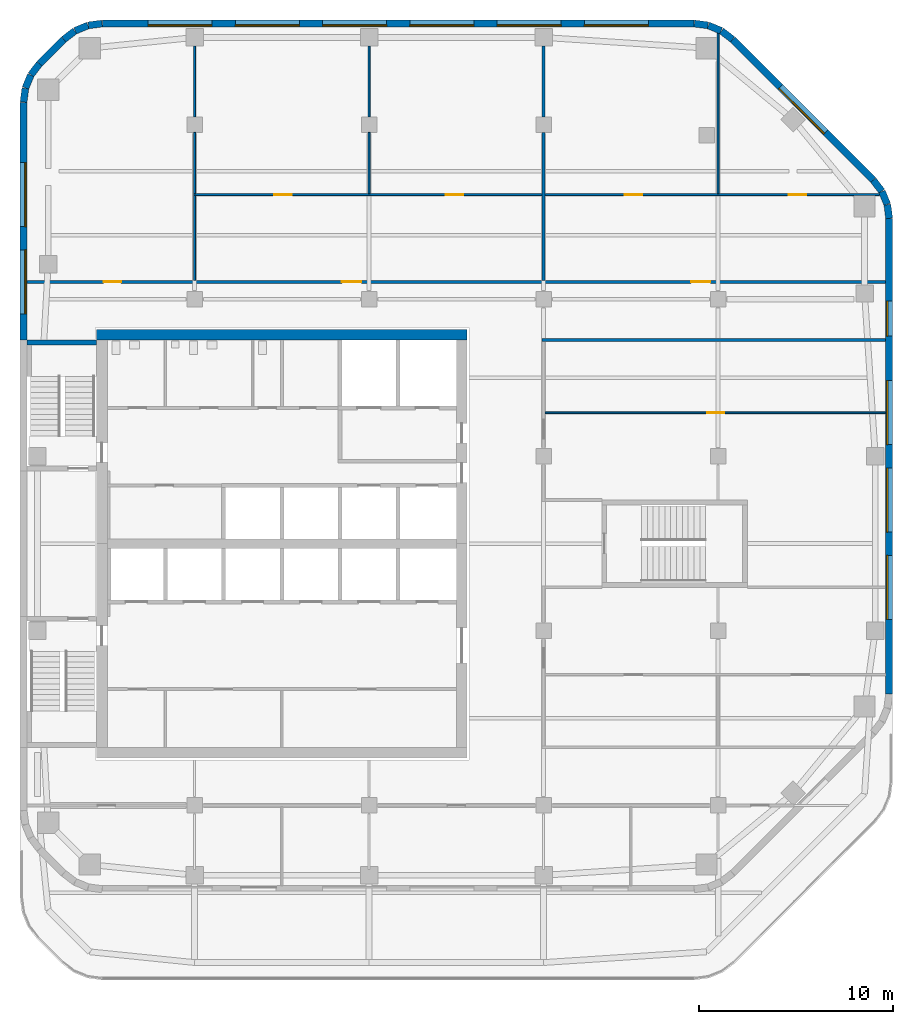
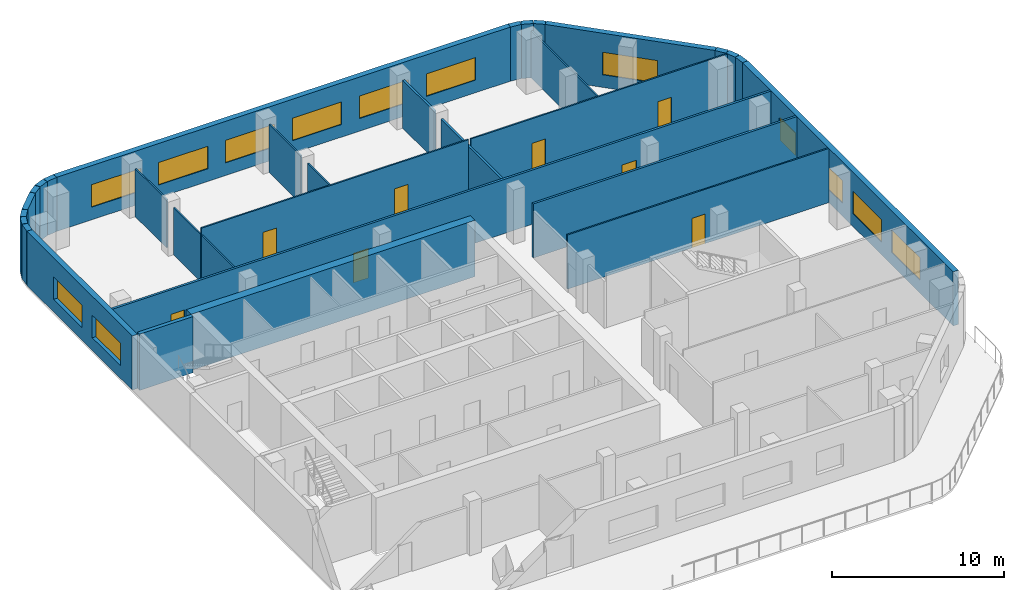
# One storey, part 5 of 8: 32 walls, 13 windows, 8 doors, 21 openings.
"""IFC4 building model written with IfcOpenShell, lengths in metres."""

from ifc_helpers import new_model, si_unit, direction, frame, frame_2d, origin, place, context, subcontext, project, spatial, rectangle, extrude, material, layer, layer_set, type_object, element, fill, save


model = new_model("IFC4")

# Units and contexts
model_context = context("Model", 3, precision=1e-05, world=origin(), true_north=direction((0.0, 1.0)))
body_context = subcontext(model_context, "Body", "Model", "MODEL_VIEW")
ifc_project = project(units=[si_unit("LENGTHUNIT", "METRE"), si_unit("AREAUNIT", "SQUARE_METRE"), si_unit("VOLUMEUNIT", "CUBIC_METRE"), si_unit("PLANEANGLEUNIT", "RADIAN"), si_unit("MASSUNIT", "GRAM", prefix="KILO")], contexts=[model_context])

# Site, building, storey
site_placement = place(None, origin())
site = spatial("IfcSite", under=ifc_project, at=site_placement, CompositionType="ELEMENT")
building_placement = place(site_placement, origin())
building = spatial("IfcBuilding", under=site, at=building_placement, Name="Cinnabar Reach Civic Tower", CompositionType="ELEMENT")
storey_placement = place(building_placement, frame((0.0, 0.0, 198.0)))
storey = spatial("IfcBuildingStorey", under=building, at=storey_placement, Name="L47", CompositionType="ELEMENT", Elevation=198.0)

# Walls
ifc_material_1 = material(Name="Facing brick with insulated backing", Category="masonry")
ifc_layer_1 = layer(ifc_material_1, 0.36)
ifc_layer_set_1 = layer_set([ifc_layer_1], Name="Brick corner wall")
wall_type_1 = type_object("IfcWallType", Name="Brick corner wall", PredefinedType="STANDARD", material=ifc_layer_set_1)
for number, where, z_axis, x_axis, name in (
    (1, (44.817, 48.2686, 0.0), (0.0, 0.0, 1.0), (-0.13055608231, 0.99144092581, 0.0), "Brick corner wall"),
    (2, (44.7181, 48.9973, 0.0), (0.0, 0.0, 1.0), (-0.382702709855, 0.923871547278, 0.0), "Brick corner wall"),
):
    element("IfcWall", number, at=place(storey_placement, frame(where, z_axis=z_axis, x_axis=x_axis)), inside=storey, type_object=wall_type_1, Name=name, PredefinedType="STANDARD", context=body_context, shape_type="SweptSolid", body=[
        extrude(rectangle(XDim=0.7131, YDim=0.36, at=frame_2d((0.3565, 0.0))), origin(), (0.0, 0.0, 1.0), 3.85),
    ])
for number, where, z_axis, x_axis, name in (
    (3, (44.434, 49.6755, 0.0), (0.0, 0.0, 1.0), (-0.608802368033, 0.793321924995, 0.0), "Brick corner wall"),
    (4, (36.7413, 57.4998, 0.0), (0.0, 0.0, 1.0), (-0.793321924995, 0.608802368033, 0.0), "Brick corner wall"),
):
    element("IfcWall", number, at=place(storey_placement, frame(where, z_axis=z_axis, x_axis=x_axis)), inside=storey, type_object=wall_type_1, Name=name, PredefinedType="STANDARD", context=body_context, shape_type="SweptSolid", body=[
        extrude(rectangle(XDim=0.7132, YDim=0.36, at=frame_2d((0.3566, 0.0))), origin(), (0.0, 0.0, 1.0), 3.85),
    ])
for number, where, z_axis, x_axis, name in (
    (5, (36.1561, 57.9452, 0.0), (0.0, 0.0, 1.0), (-0.923871547278, 0.382702709855, 0.0), "Brick corner wall"),
    (6, (35.4756, 58.2239, 0.0), (0.0, 0.0, 1.0), (-0.99144092581, 0.13055608231, 0.0), "Brick corner wall"),
    (7, (4.2314, 58.317, 0.0), (0.0, 0.0, 1.0), (-0.99144092581, -0.13055608231, 0.0), "Brick corner wall"),
    (8, (3.5027, 58.2181, 0.0), (0.0, 0.0, 1.0), (-0.923871547278, -0.382702709855, 0.0), "Brick corner wall"),
):
    element("IfcWall", number, at=place(storey_placement, frame(where, z_axis=z_axis, x_axis=x_axis)), inside=storey, type_object=wall_type_1, Name=name, PredefinedType="STANDARD", context=body_context, shape_type="SweptSolid", body=[
        extrude(rectangle(XDim=0.7131, YDim=0.36, at=frame_2d((0.3565, 0.0))), origin(), (0.0, 0.0, 1.0), 3.85),
    ])
for number, where, z_axis, x_axis, name in (
    (9, (2.8245, 57.934, 0.0), (0.0, 0.0, 1.0), (-0.793321924995, -0.608802368033, 0.0), "Brick corner wall"),
    (10, (1.0002, 56.2413, 0.0), (0.0, 0.0, 1.0), (-0.608802368033, -0.793321924995, 0.0), "Brick corner wall"),
):
    element("IfcWall", number, at=place(storey_placement, frame(where, z_axis=z_axis, x_axis=x_axis)), inside=storey, type_object=wall_type_1, Name=name, PredefinedType="STANDARD", context=body_context, shape_type="SweptSolid", body=[
        extrude(rectangle(XDim=0.7132, YDim=0.36, at=frame_2d((0.3566, 0.0))), origin(), (0.0, 0.0, 1.0), 3.85),
    ])
for number, where, z_axis, x_axis, name in (
    (11, (0.5548, 55.6561, 0.0), (0.0, 0.0, 1.0), (-0.382702709855, -0.923871547278, 0.0), "Brick corner wall"),
    (12, (0.2761, 54.9756, 0.0), (0.0, 0.0, 1.0), (-0.13055608231, -0.99144092581, 0.0), "Brick corner wall"),
):
    element("IfcWall", number, at=place(storey_placement, frame(where, z_axis=z_axis, x_axis=x_axis)), inside=storey, type_object=wall_type_1, Name=name, PredefinedType="STANDARD", context=body_context, shape_type="SweptSolid", body=[
        extrude(rectangle(XDim=0.7131, YDim=0.36, at=frame_2d((0.3565, 0.0))), origin(), (0.0, 0.0, 1.0), 3.85),
    ])

# Wall, openings, windows
ifc_layer_2 = layer(ifc_material_1, 0.36)
ifc_layer_set_2 = layer_set([ifc_layer_2], Name="Brick pier and spandrel wall")
wall_type_2 = type_object("IfcWallType", Name="Brick pier and spandrel wall", PredefinedType="STANDARD", material=ifc_layer_set_2)
wall_1_placement = place(storey_placement, frame((44.82, 23.7426, 0.0), z_axis=(0.0, 0.0, 1.0), x_axis=(0.0, 1.0, 0.0)))
wall_1 = element("IfcWall", 13, at=wall_1_placement, inside=storey, type_object=wall_type_2, Name="Brick facade wall", PredefinedType="STANDARD", context=body_context, shape_type="SweptSolid", body=[
    extrude(rectangle(XDim=24.5148, YDim=0.36, at=frame_2d((12.2574, 0.0))), origin(), (0.0, 0.0, 1.0), 3.85),
])
opening_1_placement = place(wall_1_placement, frame((3.8574, 0.0, 0.9)))
opening_1 = element("IfcOpeningElement", 14, at=opening_1_placement, cuts=wall_1, Name="Opening W1967", PredefinedType="OPENING", context=body_context, shape_type="SweptSolid", body=[
    extrude(rectangle(XDim=3.3, YDim=1.6, at=frame_2d((1.65, 0.8))), frame((0.0, 0.19, 0.0), z_axis=(0.0, -1.0, 0.0), x_axis=(1.0, 0.0, 0.0)), (0.0, 0.0, 1.0), 0.38),
])
opening_2_placement = place(wall_1_placement, frame((8.3574, 0.0, 0.9)))
opening_2 = element("IfcOpeningElement", 15, at=opening_2_placement, cuts=wall_1, Name="Opening W1968", PredefinedType="OPENING", context=body_context, shape_type="SweptSolid", body=[
    extrude(rectangle(XDim=3.3, YDim=1.6, at=frame_2d((1.65, 0.8))), frame((0.0, 0.19, 0.0), z_axis=(0.0, -1.0, 0.0), x_axis=(1.0, 0.0, 0.0)), (0.0, 0.0, 1.0), 0.38),
])
opening_3_placement = place(wall_1_placement, frame((12.8574, 0.0, 0.9)))
opening_3 = element("IfcOpeningElement", 16, at=opening_3_placement, cuts=wall_1, Name="Opening W1969", PredefinedType="OPENING", context=body_context, shape_type="SweptSolid", body=[
    extrude(rectangle(XDim=3.3, YDim=1.6, at=frame_2d((1.65, 0.8))), frame((0.0, 0.19, 0.0), z_axis=(0.0, -1.0, 0.0), x_axis=(1.0, 0.0, 0.0)), (0.0, 0.0, 1.0), 0.38),
])
opening_4_placement = place(wall_1_placement, frame((18.4574, 0.0, 0.9)))
opening_4 = element("IfcOpeningElement", 17, at=opening_4_placement, cuts=wall_1, Name="Opening W1970", PredefinedType="OPENING", context=body_context, shape_type="SweptSolid", body=[
    extrude(rectangle(XDim=1.8, YDim=1.6, at=frame_2d((0.9, 0.8))), frame((0.0, 0.19, 0.0), z_axis=(0.0, -1.0, 0.0), x_axis=(1.0, 0.0, 0.0)), (0.0, 0.0, 1.0), 0.38),
])
ifc_material_2 = material(Name="Clear double glazing in aluminium frame", Category="aluminium")
window_type_1 = type_object("IfcWindowType", Name="Deep-set window A", PartitioningType="SINGLE_PANEL", PredefinedType="WINDOW", material=ifc_material_2)
window_1_placement = place(opening_1_placement, origin())
window_1 = element("IfcWindow", 18, at=window_1_placement, inside=storey, type_object=window_type_1, Name="Window east face", OverallHeight=1.6, OverallWidth=3.3, PartitioningType="SINGLE_PANEL", PredefinedType="WINDOW", context=body_context, shape_type="SweptSolid", body=[
    extrude(rectangle(XDim=3.3, YDim=1.6, at=frame_2d((1.65, 0.8))), frame((0.0, 0.13, 0.0), z_axis=(0.0, -1.0, 0.0), x_axis=(1.0, 0.0, 0.0)), (0.0, 0.0, 1.0), 0.06),
])
fill(opening_1, window_1)
window_2_placement = place(opening_2_placement, origin())
window_2 = element("IfcWindow", 19, at=window_2_placement, inside=storey, type_object=window_type_1, Name="Window east face", OverallHeight=1.6, OverallWidth=3.3, PartitioningType="SINGLE_PANEL", PredefinedType="WINDOW", context=body_context, shape_type="SweptSolid", body=[
    extrude(rectangle(XDim=3.3, YDim=1.6, at=frame_2d((1.65, 0.8))), frame((0.0, 0.13, 0.0), z_axis=(0.0, -1.0, 0.0), x_axis=(1.0, 0.0, 0.0)), (0.0, 0.0, 1.0), 0.06),
])
fill(opening_2, window_2)
window_3_placement = place(opening_3_placement, origin())
window_3 = element("IfcWindow", 20, at=window_3_placement, inside=storey, type_object=window_type_1, Name="Window east face", OverallHeight=1.6, OverallWidth=3.3, PartitioningType="SINGLE_PANEL", PredefinedType="WINDOW", context=body_context, shape_type="SweptSolid", body=[
    extrude(rectangle(XDim=3.3, YDim=1.6, at=frame_2d((1.65, 0.8))), frame((0.0, 0.13, 0.0), z_axis=(0.0, -1.0, 0.0), x_axis=(1.0, 0.0, 0.0)), (0.0, 0.0, 1.0), 0.06),
])
fill(opening_3, window_3)
window_type_2 = type_object("IfcWindowType", Name="Deep-set window D", PartitioningType="SINGLE_PANEL", PredefinedType="WINDOW", material=ifc_material_2)
window_4_placement = place(opening_4_placement, origin())
window_4 = element("IfcWindow", 21, at=window_4_placement, inside=storey, type_object=window_type_2, Name="Window east face", OverallHeight=1.6, OverallWidth=1.8, PartitioningType="SINGLE_PANEL", PredefinedType="WINDOW", context=body_context, shape_type="SweptSolid", body=[
    extrude(rectangle(XDim=1.8, YDim=1.6, at=frame_2d((0.9, 0.8))), frame((0.0, 0.13, 0.0), z_axis=(0.0, -1.0, 0.0), x_axis=(1.0, 0.0, 0.0)), (0.0, 0.0, 1.0), 0.06),
])
fill(opening_4, window_4)

# Wall, opening, window
wall_2_placement = place(storey_placement, frame((43.994, 50.2514, 0.0), z_axis=(0.0, 0.0, 1.0), x_axis=(-0.707106781187, 0.707106781187, 0.0)))
wall_2 = element("IfcWall", 22, at=wall_2_placement, inside=storey, type_object=wall_type_2, Name="Brick facade wall", PredefinedType="STANDARD", context=body_context, shape_type="SweptSolid", body=[
    extrude(rectangle(XDim=10.2426, YDim=0.36, at=frame_2d((5.1213, 0.0))), origin(), (0.0, 0.0, 1.0), 3.85),
])
opening_5_placement = place(wall_2_placement, frame((3.4713, 0.0, 0.9)))
opening_5 = element("IfcOpeningElement", 23, at=opening_5_placement, cuts=wall_2, Name="Opening W1971", PredefinedType="OPENING", context=body_context, shape_type="SweptSolid", body=[
    extrude(rectangle(XDim=3.3, YDim=1.6, at=frame_2d((1.65, 0.8))), frame((0.0, 0.19, 0.0), z_axis=(0.0, -1.0, 0.0), x_axis=(1.0, 0.0, 0.0)), (0.0, 0.0, 1.0), 0.38),
])
window_5_placement = place(opening_5_placement, origin())
window_5 = element("IfcWindow", 24, at=window_5_placement, inside=storey, type_object=window_type_1, Name="Window northeast face", OverallHeight=1.6, OverallWidth=3.3, PartitioningType="SINGLE_PANEL", PredefinedType="WINDOW", context=body_context, shape_type="SweptSolid", body=[
    extrude(rectangle(XDim=3.3, YDim=1.6, at=frame_2d((1.65, 0.8))), frame((0.0, 0.13, 0.0), z_axis=(0.0, -1.0, 0.0), x_axis=(1.0, 0.0, 0.0)), (0.0, 0.0, 1.0), 0.06),
])
fill(opening_5, window_5)

# Wall, openings, windows
wall_3_placement = place(storey_placement, frame((34.7574, 58.32, 0.0), z_axis=(0.0, 0.0, 1.0), x_axis=(-1.0, 0.0, 0.0)))
wall_3 = element("IfcWall", 25, at=wall_3_placement, inside=storey, type_object=wall_type_2, Name="Brick facade wall", PredefinedType="STANDARD", context=body_context, shape_type="SweptSolid", body=[
    extrude(rectangle(XDim=30.5148, YDim=0.36, at=frame_2d((15.2574, 0.0))), origin(), (0.0, 0.0, 1.0), 3.85),
])
opening_6_placement = place(wall_3_placement, frame((2.3574, 0.0, 0.9)))
opening_6 = element("IfcOpeningElement", 26, at=opening_6_placement, cuts=wall_3, Name="Opening W1972", PredefinedType="OPENING", context=body_context, shape_type="SweptSolid", body=[
    extrude(rectangle(XDim=3.3, YDim=1.6, at=frame_2d((1.65, 0.8))), frame((0.0, 0.19, 0.0), z_axis=(0.0, -1.0, 0.0), x_axis=(1.0, 0.0, 0.0)), (0.0, 0.0, 1.0), 0.38),
])
opening_7_placement = place(wall_3_placement, frame((6.8574, 0.0, 0.9)))
opening_7 = element("IfcOpeningElement", 27, at=opening_7_placement, cuts=wall_3, Name="Opening W1973", PredefinedType="OPENING", context=body_context, shape_type="SweptSolid", body=[
    extrude(rectangle(XDim=3.3, YDim=1.6, at=frame_2d((1.65, 0.8))), frame((0.0, 0.19, 0.0), z_axis=(0.0, -1.0, 0.0), x_axis=(1.0, 0.0, 0.0)), (0.0, 0.0, 1.0), 0.38),
])
opening_8_placement = place(wall_3_placement, frame((11.3574, 0.0, 0.9)))
opening_8 = element("IfcOpeningElement", 28, at=opening_8_placement, cuts=wall_3, Name="Opening W1974", PredefinedType="OPENING", context=body_context, shape_type="SweptSolid", body=[
    extrude(rectangle(XDim=3.3, YDim=1.6, at=frame_2d((1.65, 0.8))), frame((0.0, 0.19, 0.0), z_axis=(0.0, -1.0, 0.0), x_axis=(1.0, 0.0, 0.0)), (0.0, 0.0, 1.0), 0.38),
])
opening_9_placement = place(wall_3_placement, frame((15.8574, 0.0, 0.9)))
opening_9 = element("IfcOpeningElement", 29, at=opening_9_placement, cuts=wall_3, Name="Opening W1975", PredefinedType="OPENING", context=body_context, shape_type="SweptSolid", body=[
    extrude(rectangle(XDim=3.3, YDim=1.6, at=frame_2d((1.65, 0.8))), frame((0.0, 0.19, 0.0), z_axis=(0.0, -1.0, 0.0), x_axis=(1.0, 0.0, 0.0)), (0.0, 0.0, 1.0), 0.38),
])
opening_10_placement = place(wall_3_placement, frame((20.3574, 0.0, 0.9)))
opening_10 = element("IfcOpeningElement", 30, at=opening_10_placement, cuts=wall_3, Name="Opening W1976", PredefinedType="OPENING", context=body_context, shape_type="SweptSolid", body=[
    extrude(rectangle(XDim=3.3, YDim=1.6, at=frame_2d((1.65, 0.8))), frame((0.0, 0.19, 0.0), z_axis=(0.0, -1.0, 0.0), x_axis=(1.0, 0.0, 0.0)), (0.0, 0.0, 1.0), 0.38),
])
opening_11_placement = place(wall_3_placement, frame((24.8574, 0.0, 0.9)))
opening_11 = element("IfcOpeningElement", 31, at=opening_11_placement, cuts=wall_3, Name="Opening W1977", PredefinedType="OPENING", context=body_context, shape_type="SweptSolid", body=[
    extrude(rectangle(XDim=3.3, YDim=1.6, at=frame_2d((1.65, 0.8))), frame((0.0, 0.19, 0.0), z_axis=(0.0, -1.0, 0.0), x_axis=(1.0, 0.0, 0.0)), (0.0, 0.0, 1.0), 0.38),
])
window_6_placement = place(opening_6_placement, origin())
window_6 = element("IfcWindow", 32, at=window_6_placement, inside=storey, type_object=window_type_1, Name="Window north face", OverallHeight=1.6, OverallWidth=3.3, PartitioningType="SINGLE_PANEL", PredefinedType="WINDOW", context=body_context, shape_type="SweptSolid", body=[
    extrude(rectangle(XDim=3.3, YDim=1.6, at=frame_2d((1.65, 0.8))), frame((0.0, 0.13, 0.0), z_axis=(0.0, -1.0, 0.0), x_axis=(1.0, 0.0, 0.0)), (0.0, 0.0, 1.0), 0.06),
])
fill(opening_6, window_6)
window_7_placement = place(opening_7_placement, origin())
window_7 = element("IfcWindow", 33, at=window_7_placement, inside=storey, type_object=window_type_1, Name="Window north face", OverallHeight=1.6, OverallWidth=3.3, PartitioningType="SINGLE_PANEL", PredefinedType="WINDOW", context=body_context, shape_type="SweptSolid", body=[
    extrude(rectangle(XDim=3.3, YDim=1.6, at=frame_2d((1.65, 0.8))), frame((0.0, 0.13, 0.0), z_axis=(0.0, -1.0, 0.0), x_axis=(1.0, 0.0, 0.0)), (0.0, 0.0, 1.0), 0.06),
])
fill(opening_7, window_7)
window_8_placement = place(opening_8_placement, origin())
window_8 = element("IfcWindow", 34, at=window_8_placement, inside=storey, type_object=window_type_1, Name="Window north face", OverallHeight=1.6, OverallWidth=3.3, PartitioningType="SINGLE_PANEL", PredefinedType="WINDOW", context=body_context, shape_type="SweptSolid", body=[
    extrude(rectangle(XDim=3.3, YDim=1.6, at=frame_2d((1.65, 0.8))), frame((0.0, 0.13, 0.0), z_axis=(0.0, -1.0, 0.0), x_axis=(1.0, 0.0, 0.0)), (0.0, 0.0, 1.0), 0.06),
])
fill(opening_8, window_8)
window_9_placement = place(opening_9_placement, origin())
window_9 = element("IfcWindow", 35, at=window_9_placement, inside=storey, type_object=window_type_1, Name="Window north face", OverallHeight=1.6, OverallWidth=3.3, PartitioningType="SINGLE_PANEL", PredefinedType="WINDOW", context=body_context, shape_type="SweptSolid", body=[
    extrude(rectangle(XDim=3.3, YDim=1.6, at=frame_2d((1.65, 0.8))), frame((0.0, 0.13, 0.0), z_axis=(0.0, -1.0, 0.0), x_axis=(1.0, 0.0, 0.0)), (0.0, 0.0, 1.0), 0.06),
])
fill(opening_9, window_9)
window_10_placement = place(opening_10_placement, origin())
window_10 = element("IfcWindow", 36, at=window_10_placement, inside=storey, type_object=window_type_1, Name="Window north face", OverallHeight=1.6, OverallWidth=3.3, PartitioningType="SINGLE_PANEL", PredefinedType="WINDOW", context=body_context, shape_type="SweptSolid", body=[
    extrude(rectangle(XDim=3.3, YDim=1.6, at=frame_2d((1.65, 0.8))), frame((0.0, 0.13, 0.0), z_axis=(0.0, -1.0, 0.0), x_axis=(1.0, 0.0, 0.0)), (0.0, 0.0, 1.0), 0.06),
])
fill(opening_10, window_10)
window_11_placement = place(opening_11_placement, origin())
window_11 = element("IfcWindow", 37, at=window_11_placement, inside=storey, type_object=window_type_1, Name="Window north face", OverallHeight=1.6, OverallWidth=3.3, PartitioningType="SINGLE_PANEL", PredefinedType="WINDOW", context=body_context, shape_type="SweptSolid", body=[
    extrude(rectangle(XDim=3.3, YDim=1.6, at=frame_2d((1.65, 0.8))), frame((0.0, 0.13, 0.0), z_axis=(0.0, -1.0, 0.0), x_axis=(1.0, 0.0, 0.0)), (0.0, 0.0, 1.0), 0.06),
])
fill(opening_11, window_11)

# Wall
wall_4_placement = place(storey_placement, frame((2.2486, 57.494, 0.0), z_axis=(0.0, 0.0, 1.0), x_axis=(-0.707106781187, -0.707106781187, 0.0)))
element("IfcWall", 38, at=wall_4_placement, inside=storey, type_object=wall_type_2, Name="Brick facade wall", PredefinedType="STANDARD", context=body_context, shape_type="SweptSolid", body=[
    extrude(rectangle(XDim=1.7573, YDim=0.36, at=frame_2d((0.8787, 0.0))), origin(), (0.0, 0.0, 1.0), 3.85),
])

# Wall, openings, windows
wall_5_placement = place(storey_placement, frame((0.18, 54.2574, 0.0), z_axis=(0.0, 0.0, 1.0), x_axis=(0.0, -1.0, 0.0)))
wall_5 = element("IfcWall", 39, at=wall_5_placement, inside=storey, type_object=wall_type_2, Name="Brick facade wall", PredefinedType="STANDARD", context=body_context, shape_type="SweptSolid", body=[
    extrude(rectangle(XDim=12.2574, YDim=0.36, at=frame_2d((6.1287, 0.0))), origin(), (0.0, 0.0, 1.0), 3.85),
])
opening_12_placement = place(wall_5_placement, frame((3.1074, 0.0, 0.9)))
opening_12 = element("IfcOpeningElement", 40, at=opening_12_placement, cuts=wall_5, Name="Opening W1978", PredefinedType="OPENING", context=body_context, shape_type="SweptSolid", body=[
    extrude(rectangle(XDim=3.3, YDim=1.6, at=frame_2d((1.65, 0.8))), frame((0.0, 0.19, 0.0), z_axis=(0.0, -1.0, 0.0), x_axis=(1.0, 0.0, 0.0)), (0.0, 0.0, 1.0), 0.38),
])
opening_13_placement = place(wall_5_placement, frame((7.6074, 0.0, 0.9)))
opening_13 = element("IfcOpeningElement", 41, at=opening_13_placement, cuts=wall_5, Name="Opening W1979", PredefinedType="OPENING", context=body_context, shape_type="SweptSolid", body=[
    extrude(rectangle(XDim=3.3, YDim=1.6, at=frame_2d((1.65, 0.8))), frame((0.0, 0.19, 0.0), z_axis=(0.0, -1.0, 0.0), x_axis=(1.0, 0.0, 0.0)), (0.0, 0.0, 1.0), 0.38),
])
window_12_placement = place(opening_12_placement, origin())
window_12 = element("IfcWindow", 42, at=window_12_placement, inside=storey, type_object=window_type_1, Name="Window west face", OverallHeight=1.6, OverallWidth=3.3, PartitioningType="SINGLE_PANEL", PredefinedType="WINDOW", context=body_context, shape_type="SweptSolid", body=[
    extrude(rectangle(XDim=3.3, YDim=1.6, at=frame_2d((1.65, 0.8))), frame((0.0, 0.13, 0.0), z_axis=(0.0, -1.0, 0.0), x_axis=(1.0, 0.0, 0.0)), (0.0, 0.0, 1.0), 0.06),
])
fill(opening_12, window_12)
window_13_placement = place(opening_13_placement, origin())
window_13 = element("IfcWindow", 43, at=window_13_placement, inside=storey, type_object=window_type_1, Name="Window west face", OverallHeight=1.6, OverallWidth=3.3, PartitioningType="SINGLE_PANEL", PredefinedType="WINDOW", context=body_context, shape_type="SweptSolid", body=[
    extrude(rectangle(XDim=3.3, YDim=1.6, at=frame_2d((1.65, 0.8))), frame((0.0, 0.13, 0.0), z_axis=(0.0, -1.0, 0.0), x_axis=(1.0, 0.0, 0.0)), (0.0, 0.0, 1.0), 0.06),
])
fill(opening_13, window_13)

# Wall
ifc_material_3 = material(Name="Concrete C60", Category="concrete")
ifc_layer_3 = layer(ifc_material_3, 0.55)
ifc_layer_set_3 = layer_set([ifc_layer_3], Name="Core wall 550 EI 180")
wall_type_3 = type_object("IfcWallType", Name="Core wall 550 EI 180", PredefinedType="SOLIDWALL", material=ifc_layer_set_3)
wall_6_placement = place(storey_placement, frame((23.05, 42.275, 0.0), z_axis=(0.0, 0.0, 1.0), x_axis=(-1.0, 0.0, 0.0)))
element("IfcWall", 44, at=wall_6_placement, inside=storey, type_object=wall_type_3, Name="Core wall T1 L47 N", PredefinedType="SOLIDWALL", context=body_context, shape_type="SweptSolid", body=[
    extrude(rectangle(XDim=19.1, YDim=0.55, at=frame_2d((9.55, 0.0))), origin(), (0.0, 0.0, 1.0), 4.0),
])

# Wall, openings, doors
ifc_material_4 = material(Name="Gypsum board on steel studs, double layer", Category="steel")
ifc_layer_4 = layer(ifc_material_4, 0.15)
ifc_layer_set_4 = layer_set([ifc_layer_4], Name="Corridor wall 150 T1")
wall_type_4 = type_object("IfcWallType", Name="Corridor wall 150 T1", PredefinedType="PARTITIONING", material=ifc_layer_set_4)
wall_7_placement = place(storey_placement, frame((0.36, 45.0, 0.0), z_axis=(0.0, 0.0, 1.0), x_axis=(1.0, 0.0, 0.0)))
wall_7 = element("IfcWall", 45, at=wall_7_placement, inside=storey, type_object=wall_type_4, Name="Corridor wall 18", PredefinedType="PARTITIONING", context=body_context, shape_type="SweptSolid", body=[
    extrude(rectangle(XDim=44.28, YDim=0.15, at=frame_2d((22.14, 0.0))), origin(), (0.0, 0.0, 1.0), 3.85),
])
opening_14_placement = place(wall_7_placement, frame((3.95, 0.0, 0.0)))
opening_14 = element("IfcOpeningElement", 46, at=opening_14_placement, cuts=wall_7, Name="Opening D4945", PredefinedType="OPENING", context=body_context, shape_type="SweptSolid", body=[
    extrude(rectangle(XDim=0.9, YDim=2.1, at=frame_2d((0.45, 1.05))), frame((0.0, 0.085, 0.0), z_axis=(0.0, -1.0, 0.0), x_axis=(1.0, 0.0, 0.0)), (0.0, 0.0, 1.0), 0.17),
])
opening_15_placement = place(wall_7_placement, frame((16.24, 0.0, 0.0)))
opening_15 = element("IfcOpeningElement", 47, at=opening_15_placement, cuts=wall_7, Name="Opening D4946", PredefinedType="OPENING", context=body_context, shape_type="SweptSolid", body=[
    extrude(rectangle(XDim=1.0, YDim=2.1, at=frame_2d((0.5, 1.05))), frame((0.0, 0.085, 0.0), z_axis=(0.0, -1.0, 0.0), x_axis=(1.0, 0.0, 0.0)), (0.0, 0.0, 1.0), 0.17),
])
opening_16_placement = place(wall_7_placement, frame((34.24, 0.0, 0.0)))
opening_16 = element("IfcOpeningElement", 48, at=opening_16_placement, cuts=wall_7, Name="Opening D4949", PredefinedType="OPENING", context=body_context, shape_type="SweptSolid", body=[
    extrude(rectangle(XDim=1.0, YDim=2.1, at=frame_2d((0.5, 1.05))), frame((0.0, 0.085, 0.0), z_axis=(0.0, -1.0, 0.0), x_axis=(1.0, 0.0, 0.0)), (0.0, 0.0, 1.0), 0.17),
])
ifc_material_5 = material(Name="Timber door leaf in steel frame", Category="steel")
door_type_1 = type_object("IfcDoorType", Name="Single swing door 900 x 2100 corridor T1", OperationType="SINGLE_SWING_LEFT", PredefinedType="DOOR", material=ifc_material_5)
door_1_placement = place(opening_14_placement, origin())
door_1 = element("IfcDoor", 49, at=door_1_placement, inside=storey, type_object=door_type_1, Name="Door D4945", OperationType="SINGLE_SWING_LEFT", OverallHeight=2.1, OverallWidth=0.9, PredefinedType="DOOR", context=body_context, shape_type="SweptSolid", body=[
    extrude(rectangle(XDim=0.9, YDim=2.1, at=frame_2d((0.45, 1.05))), frame((0.0, 0.025, 0.0), z_axis=(0.0, -1.0, 0.0), x_axis=(1.0, 0.0, 0.0)), (0.0, 0.0, 1.0), 0.05),
])
fill(opening_14, door_1)
door_type_2 = type_object("IfcDoorType", Name="Tenancy entrance door 1000 x 2100 T1", OperationType="SINGLE_SWING_LEFT", PredefinedType="DOOR", material=ifc_material_5)
door_2_placement = place(opening_15_placement, origin())
door_2 = element("IfcDoor", 50, at=door_2_placement, inside=storey, type_object=door_type_2, Name="Door D4946", OperationType="SINGLE_SWING_RIGHT", OverallHeight=2.1, OverallWidth=1.0, PredefinedType="DOOR", context=body_context, shape_type="SweptSolid", body=[
    extrude(rectangle(XDim=1.0, YDim=2.1, at=frame_2d((0.5, 1.05))), frame((0.0, 0.025, 0.0), z_axis=(0.0, -1.0, 0.0), x_axis=(1.0, 0.0, 0.0)), (0.0, 0.0, 1.0), 0.05),
])
fill(opening_15, door_2)
door_3_placement = place(opening_16_placement, origin())
door_3 = element("IfcDoor", 51, at=door_3_placement, inside=storey, type_object=door_type_2, Name="Door D4949", OperationType="SINGLE_SWING_LEFT", OverallHeight=2.1, OverallWidth=1.0, PredefinedType="DOOR", context=body_context, shape_type="SweptSolid", body=[
    extrude(rectangle(XDim=1.0, YDim=2.1, at=frame_2d((0.5, 1.05))), frame((0.0, 0.025, 0.0), z_axis=(0.0, -1.0, 0.0), x_axis=(1.0, 0.0, 0.0)), (0.0, 0.0, 1.0), 0.05),
])
fill(opening_16, door_3)

# Wall
wall_8_placement = place(storey_placement, frame((26.925, 42.0, 0.0), z_axis=(0.0, 0.0, 1.0), x_axis=(1.0, 0.0, 0.0)))
element("IfcWall", 52, at=wall_8_placement, inside=storey, type_object=wall_type_4, Name="Corridor wall 25", PredefinedType="PARTITIONING", context=body_context, shape_type="SweptSolid", body=[
    extrude(rectangle(XDim=17.715, YDim=0.15, at=frame_2d((8.8575, 0.0))), origin(), (0.0, 0.0, 1.0), 3.85),
])

# Wall, openings, doors
ifc_material_6 = material(Name="Gypsum board on steel studs", Category="steel")
ifc_layer_5 = layer(ifc_material_6, 0.1)
ifc_layer_set_5 = layer_set([ifc_layer_5], Name="Partition wall 100 T1")
wall_type_5 = type_object("IfcWallType", Name="Partition wall 100 T1", PredefinedType="PARTITIONING", material=ifc_layer_set_5)
wall_9_placement = place(storey_placement, frame((8.95, 49.5, 0.0), z_axis=(0.0, 0.0, 1.0), x_axis=(1.0, 0.0, 0.0)))
wall_9 = element("IfcWall", 53, at=wall_9_placement, inside=storey, type_object=wall_type_5, Name="Partition wall 42", PredefinedType="PARTITIONING", context=body_context, shape_type="SweptSolid", body=[
    extrude(rectangle(XDim=17.975, YDim=0.1, at=frame_2d((8.9875, 0.0))), origin(), (0.0, 0.0, 1.0), 3.85),
])
opening_17_placement = place(wall_9_placement, frame((4.15, 0.0, 0.0)))
opening_17 = element("IfcOpeningElement", 54, at=opening_17_placement, cuts=wall_9, Name="Opening D4947", PredefinedType="OPENING", context=body_context, shape_type="SweptSolid", body=[
    extrude(rectangle(XDim=0.9, YDim=2.1, at=frame_2d((0.45, 1.05))), frame((0.0, 0.06, 0.0), z_axis=(0.0, -1.0, 0.0), x_axis=(1.0, 0.0, 0.0)), (0.0, 0.0, 1.0), 0.12),
])
opening_18_placement = place(wall_9_placement, frame((13.0, 0.0, 0.0)))
opening_18 = element("IfcOpeningElement", 55, at=opening_18_placement, cuts=wall_9, Name="Opening D4948", PredefinedType="OPENING", context=body_context, shape_type="SweptSolid", body=[
    extrude(rectangle(XDim=0.9, YDim=2.1, at=frame_2d((0.45, 1.05))), frame((0.0, 0.06, 0.0), z_axis=(0.0, -1.0, 0.0), x_axis=(1.0, 0.0, 0.0)), (0.0, 0.0, 1.0), 0.12),
])
door_type_3 = type_object("IfcDoorType", Name="Single swing door 900 x 2100 T1", OperationType="SINGLE_SWING_LEFT", PredefinedType="DOOR", material=ifc_material_5)
door_4_placement = place(opening_17_placement, origin())
door_4 = element("IfcDoor", 56, at=door_4_placement, inside=storey, type_object=door_type_3, Name="Door D4947", OperationType="SINGLE_SWING_LEFT", OverallHeight=2.1, OverallWidth=0.9, PredefinedType="DOOR", context=body_context, shape_type="SweptSolid", body=[
    extrude(rectangle(XDim=0.9, YDim=2.1, at=frame_2d((0.45, 1.05))), frame((0.0, 0.025, 0.0), z_axis=(0.0, -1.0, 0.0), x_axis=(1.0, 0.0, 0.0)), (0.0, 0.0, 1.0), 0.05),
])
fill(opening_17, door_4)
door_5_placement = place(opening_18_placement, origin())
door_5 = element("IfcDoor", 57, at=door_5_placement, inside=storey, type_object=door_type_3, Name="Door D4948", OperationType="SINGLE_SWING_LEFT", OverallHeight=2.1, OverallWidth=0.9, PredefinedType="DOOR", context=body_context, shape_type="SweptSolid", body=[
    extrude(rectangle(XDim=0.9, YDim=2.1, at=frame_2d((0.45, 1.05))), frame((0.0, 0.025, 0.0), z_axis=(0.0, -1.0, 0.0), x_axis=(1.0, 0.0, 0.0)), (0.0, 0.0, 1.0), 0.05),
])
fill(opening_18, door_5)

wall_10_placement = place(storey_placement, frame((27.075, 49.5, 0.0), z_axis=(0.0, 0.0, 1.0), x_axis=(1.0, 0.0, 0.0)))
wall_10 = element("IfcWall", 58, at=wall_10_placement, inside=storey, type_object=wall_type_5, Name="Partition wall 43", PredefinedType="PARTITIONING", context=body_context, shape_type="SweptSolid", body=[
    extrude(rectangle(XDim=17.24, YDim=0.1, at=frame_2d((8.62, 0.0))), origin(), (0.0, 0.0, 1.0), 3.85),
])
opening_19_placement = place(wall_10_placement, frame((4.1, 0.0, 0.0)))
opening_19 = element("IfcOpeningElement", 59, at=opening_19_placement, cuts=wall_10, Name="Opening D4950", PredefinedType="OPENING", context=body_context, shape_type="SweptSolid", body=[
    extrude(rectangle(XDim=0.9, YDim=2.1, at=frame_2d((0.45, 1.05))), frame((0.0, 0.06, 0.0), z_axis=(0.0, -1.0, 0.0), x_axis=(1.0, 0.0, 0.0)), (0.0, 0.0, 1.0), 0.12),
])
opening_20_placement = place(wall_10_placement, frame((12.575, 0.0, 0.0)))
opening_20 = element("IfcOpeningElement", 60, at=opening_20_placement, cuts=wall_10, Name="Opening D4951", PredefinedType="OPENING", context=body_context, shape_type="SweptSolid", body=[
    extrude(rectangle(XDim=0.9, YDim=2.1, at=frame_2d((0.45, 1.05))), frame((0.0, 0.06, 0.0), z_axis=(0.0, -1.0, 0.0), x_axis=(1.0, 0.0, 0.0)), (0.0, 0.0, 1.0), 0.12),
])
door_6_placement = place(opening_19_placement, origin())
door_6 = element("IfcDoor", 61, at=door_6_placement, inside=storey, type_object=door_type_3, Name="Door D4950", OperationType="SINGLE_SWING_RIGHT", OverallHeight=2.1, OverallWidth=0.9, PredefinedType="DOOR", context=body_context, shape_type="SweptSolid", body=[
    extrude(rectangle(XDim=0.9, YDim=2.1, at=frame_2d((0.45, 1.05))), frame((0.0, 0.025, 0.0), z_axis=(0.0, -1.0, 0.0), x_axis=(1.0, 0.0, 0.0)), (0.0, 0.0, 1.0), 0.05),
])
fill(opening_19, door_6)
door_7_placement = place(opening_20_placement, origin())
door_7 = element("IfcDoor", 62, at=door_7_placement, inside=storey, type_object=door_type_3, Name="Door D4951", OperationType="SINGLE_SWING_LEFT", OverallHeight=2.1, OverallWidth=0.9, PredefinedType="DOOR", context=body_context, shape_type="SweptSolid", body=[
    extrude(rectangle(XDim=0.9, YDim=2.1, at=frame_2d((0.45, 1.05))), frame((0.0, 0.025, 0.0), z_axis=(0.0, -1.0, 0.0), x_axis=(1.0, 0.0, 0.0)), (0.0, 0.0, 1.0), 0.05),
])
fill(opening_20, door_7)

# Wall, opening, door
wall_11_placement = place(storey_placement, frame((27.075, 38.25, 0.0), z_axis=(0.0, 0.0, 1.0), x_axis=(1.0, 0.0, 0.0)))
wall_11 = element("IfcWall", 63, at=wall_11_placement, inside=storey, type_object=wall_type_5, Name="Partition wall 45", PredefinedType="PARTITIONING", context=body_context, shape_type="SweptSolid", body=[
    extrude(rectangle(XDim=17.565, YDim=0.1, at=frame_2d((8.7825, 0.0))), origin(), (0.0, 0.0, 1.0), 3.85),
])
opening_21_placement = place(wall_11_placement, frame((8.35, 0.0, 0.0)))
opening_21 = element("IfcOpeningElement", 64, at=opening_21_placement, cuts=wall_11, Name="Opening D4938", PredefinedType="OPENING", context=body_context, shape_type="SweptSolid", body=[
    extrude(rectangle(XDim=0.9, YDim=2.1, at=frame_2d((0.45, 1.05))), frame((0.0, 0.06, 0.0), z_axis=(0.0, -1.0, 0.0), x_axis=(1.0, 0.0, 0.0)), (0.0, 0.0, 1.0), 0.12),
])
door_8_placement = place(opening_21_placement, origin())
door_8 = element("IfcDoor", 65, at=door_8_placement, inside=storey, type_object=door_type_3, Name="Door D4938", OperationType="SINGLE_SWING_RIGHT", OverallHeight=2.1, OverallWidth=0.9, PredefinedType="DOOR", context=body_context, shape_type="SweptSolid", body=[
    extrude(rectangle(XDim=0.9, YDim=2.1, at=frame_2d((0.45, 1.05))), frame((0.0, 0.025, 0.0), z_axis=(0.0, -1.0, 0.0), x_axis=(1.0, 0.0, 0.0)), (0.0, 0.0, 1.0), 0.05),
])
fill(opening_21, door_8)

# Walls
wall_12_placement = place(storey_placement, frame((9.0, 45.075, 0.0), z_axis=(0.0, 0.0, 1.0), x_axis=(0.0, 1.0, 0.0)))
element("IfcWall", 66, at=wall_12_placement, inside=storey, type_object=wall_type_5, Name="Partition wall 46", PredefinedType="PARTITIONING", context=body_context, shape_type="SweptSolid", body=[
    extrude(rectangle(XDim=4.375, YDim=0.1, at=frame_2d((2.1875, 0.0))), origin(), (0.0, 0.0, 1.0), 3.35),
])
wall_13_placement = place(storey_placement, frame((9.0, 49.55, 0.0), z_axis=(0.0, 0.0, 1.0), x_axis=(0.0, 1.0, 0.0)))
element("IfcWall", 67, at=wall_13_placement, inside=storey, type_object=wall_type_5, Name="Partition wall 47", PredefinedType="PARTITIONING", context=body_context, shape_type="SweptSolid", body=[
    extrude(rectangle(XDim=3.15, YDim=0.1, at=frame_2d((1.575, 0.0))), origin(), (0.0, 0.0, 1.0), 3.35),
])
wall_14_placement = place(storey_placement, frame((9.0, 53.5, 0.0), z_axis=(0.0, 0.0, 1.0), x_axis=(0.0, 1.0, 0.0)))
element("IfcWall", 68, at=wall_14_placement, inside=storey, type_object=wall_type_5, Name="Partition wall 48", PredefinedType="PARTITIONING", context=body_context, shape_type="SweptSolid", body=[
    extrude(rectangle(XDim=3.65, YDim=0.1, at=frame_2d((1.825, 0.0))), origin(), (0.0, 0.0, 1.0), 3.41),
])
wall_15_placement = place(storey_placement, frame((18.0, 49.55, 0.0), z_axis=(0.0, 0.0, 1.0), x_axis=(0.0, 1.0, 0.0)))
element("IfcWall", 69, at=wall_15_placement, inside=storey, type_object=wall_type_5, Name="Partition wall 49", PredefinedType="PARTITIONING", context=body_context, shape_type="SweptSolid", body=[
    extrude(rectangle(XDim=3.15, YDim=0.1, at=frame_2d((1.575, 0.0))), origin(), (0.0, 0.0, 1.0), 3.35),
])
wall_16_placement = place(storey_placement, frame((18.0, 53.5, 0.0), z_axis=(0.0, 0.0, 1.0), x_axis=(0.0, 1.0, 0.0)))
element("IfcWall", 70, at=wall_16_placement, inside=storey, type_object=wall_type_5, Name="Partition wall 50", PredefinedType="PARTITIONING", context=body_context, shape_type="SweptSolid", body=[
    extrude(rectangle(XDim=3.65, YDim=0.1, at=frame_2d((1.825, 0.0))), origin(), (0.0, 0.0, 1.0), 3.41),
])
wall_17_placement = place(storey_placement, frame((36.0, 49.55, 0.0), z_axis=(0.0, 0.0, 1.0), x_axis=(0.0, 1.0, 0.0)))
element("IfcWall", 71, at=wall_17_placement, inside=storey, type_object=wall_type_5, Name="Partition wall 51", PredefinedType="PARTITIONING", context=body_context, shape_type="SweptSolid", body=[
    extrude(rectangle(XDim=8.265, YDim=0.1, at=frame_2d((4.1325, 0.0))), origin(), (0.0, 0.0, 1.0), 3.35),
])
ifc_layer_6 = layer(ifc_material_3, 0.25)
ifc_layer_set_6 = layer_set([ifc_layer_6], Name="Stair shaft wall 250 EI 120")
wall_type_6 = type_object("IfcWallType", Name="Stair shaft wall 250 EI 120", PredefinedType="SOLIDWALL", material=ifc_layer_set_6)
wall_18_placement = place(storey_placement, frame((3.95, 41.875, 0.0), z_axis=(0.0, 0.0, 1.0), x_axis=(-1.0, 0.0, 0.0)))
element("IfcWall", 72, at=wall_18_placement, inside=storey, type_object=wall_type_6, Name="Stair shaft wall T1-S2 L47", PredefinedType="SOLIDWALL", context=body_context, shape_type="SweptSolid", body=[
    extrude(rectangle(XDim=3.59, YDim=0.25, at=frame_2d((1.795, 0.0))), origin(), (0.0, 0.0, 1.0), 4.0),
])
ifc_layer_7 = layer(ifc_material_4, 0.15)
ifc_layer_set_7 = layer_set([ifc_layer_7], Name="Tenancy separating wall 150 T1")
wall_type_7 = type_object("IfcWallType", Name="Tenancy separating wall 150 T1", PredefinedType="PARTITIONING", material=ifc_layer_set_7)
wall_19_placement = place(storey_placement, frame((27.0, 45.075, 0.0), z_axis=(0.0, 0.0, 1.0), x_axis=(0.0, 1.0, 0.0)))
element("IfcWall", 73, at=wall_19_placement, inside=storey, type_object=wall_type_7, Name="Tenancy separating wall 39", PredefinedType="PARTITIONING", context=body_context, shape_type="SweptSolid", body=[
    extrude(rectangle(XDim=7.625, YDim=0.15, at=frame_2d((3.8125, 0.0))), origin(), (0.0, 0.0, 1.0), 3.35),
])
wall_20_placement = place(storey_placement, frame((27.0, 53.5, 0.0), z_axis=(0.0, 0.0, 1.0), x_axis=(0.0, 1.0, 0.0)))
element("IfcWall", 74, at=wall_20_placement, inside=storey, type_object=wall_type_7, Name="Tenancy separating wall 40", PredefinedType="PARTITIONING", context=body_context, shape_type="SweptSolid", body=[
    extrude(rectangle(XDim=3.65, YDim=0.15, at=frame_2d((1.825, 0.0))), origin(), (0.0, 0.0, 1.0), 3.41),
])

save(model, "model.ifc")
